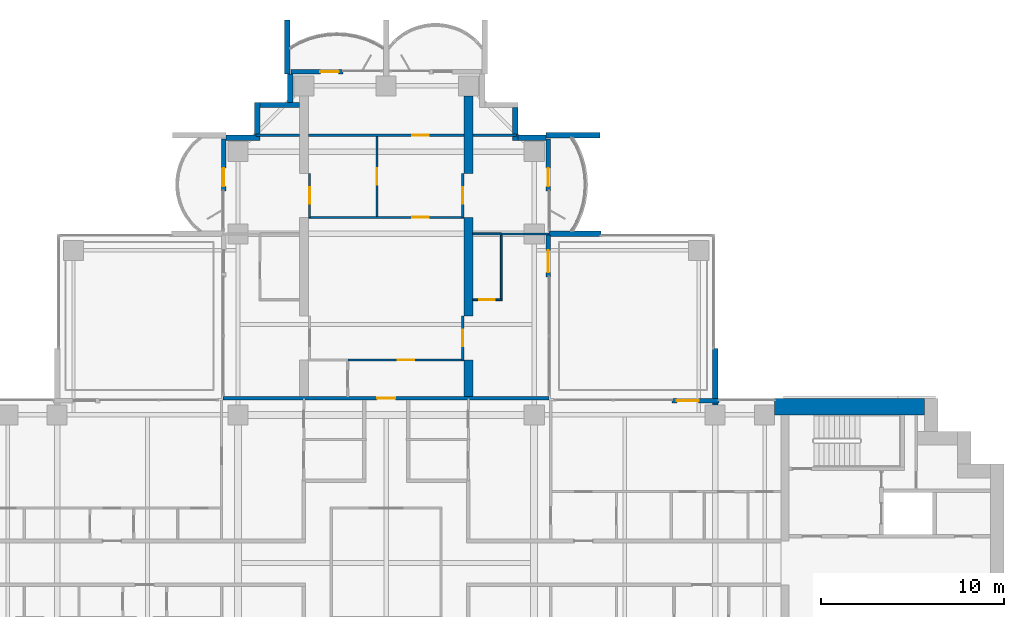
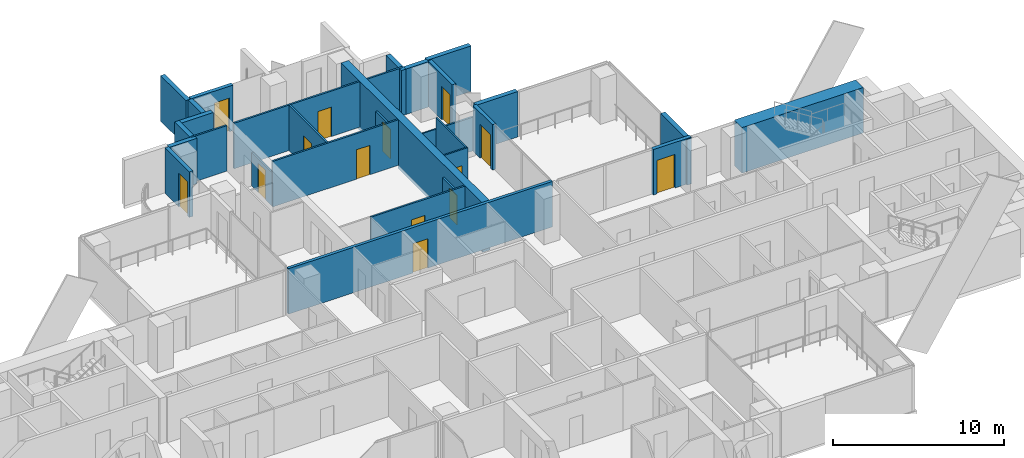
# One storey, part 14 of 19: 31 walls, 14 doors, 14 openings.
"""IFC4 building model written with IfcOpenShell, lengths in metres."""

from ifc_helpers import new_model, si_unit, direction, frame, frame_2d, origin, place, context, subcontext, project, spatial, polyline, rectangle, outline, extrude, material, layer, layer_set, material_profile, profile_set, type_object, element, fill, save


model = new_model("IFC4")

# Units and contexts
model_context = context("Model", 3, precision=1e-05, world=origin(), true_north=direction((0.0, 1.0)))
body_context = subcontext(model_context, "Body", "Model", "MODEL_VIEW")
ifc_project = project(units=[si_unit("LENGTHUNIT", "METRE"), si_unit("AREAUNIT", "SQUARE_METRE"), si_unit("VOLUMEUNIT", "CUBIC_METRE"), si_unit("PLANEANGLEUNIT", "RADIAN"), si_unit("MASSUNIT", "GRAM", prefix="KILO")], contexts=[model_context])

# Site, building, storey
site_placement = place(None, origin())
site = spatial("IfcSite", under=ifc_project, at=site_placement, CompositionType="ELEMENT")
building_placement = place(site_placement, origin())
building = spatial("IfcBuilding", under=site, at=building_placement, Name="Perihelion Cross Residences", CompositionType="ELEMENT")
storey_placement = place(building_placement, frame((0.0, 0.0, 105.89990234375)))
storey = spatial("IfcBuildingStorey", under=building, at=storey_placement, Name="L24", CompositionType="ELEMENT", Elevation=105.89990234375)

# Wall, opening, door
ifc_material_1 = material(Name="Plasterboard partition")
ifc_layer_1 = layer(ifc_material_1, 0.199951171875)
ifc_layer_set_1 = layer_set([ifc_layer_1], Name="Apartment separation wall 200")
wall_type_1 = type_object("IfcWallType", Name="Apartment separation wall 200", PredefinedType="PARTITIONING", material=ifc_layer_set_1)
wall_1_placement = place(storey_placement, frame((-8.919921875, 9.0, 0.0), z_axis=(0.0, 0.0, 1.0), x_axis=(1.0, 0.0, 0.0)))
wall_1 = element("IfcWall", 1, at=wall_1_placement, inside=storey, type_object=wall_type_1, Name="Partition L24 W021", PredefinedType="PARTITIONING", context=body_context, shape_type="SweptSolid", body=[
    extrude(rectangle(XDim=17.83984375, YDim=0.199951171875, at=frame_2d((8.919921875, 0.0))), origin(), (0.0, 0.0, 1.0), 3.25),
])
opening_1_placement = place(wall_1_placement, frame((8.419921875, 0.0, 0.0)))
opening_1 = element("IfcOpeningElement", 2, at=opening_1_placement, cuts=wall_1, Name="Opening L24.A32", PredefinedType="OPENING", context=body_context, shape_type="SweptSolid", body=[
    extrude(rectangle(XDim=1.0, YDim=2.10009765625, at=frame_2d((0.5, 1.050048828125))), frame((0.0, 0.10986328125, 0.0), z_axis=(0.0, -1.0, 0.0), x_axis=(1.0, 0.0, 0.0)), (0.0, 0.0, 1.0), 0.219970703125),
])
ifc_material_2 = material(Name="Timber door leaf", Category="wood")
door_type_1 = type_object("IfcDoorType", Name="Flat entrance door 1000 x 2100", OperationType="SINGLE_SWING_LEFT", PredefinedType="DOOR", material=ifc_material_2)
door_1_placement = place(opening_1_placement, origin())
door_1 = element("IfcDoor", 3, at=door_1_placement, inside=storey, type_object=door_type_1, Name="Door L24.A32", OperationType="SINGLE_SWING_RIGHT", OverallHeight=2.10009765625, OverallWidth=1.0, PredefinedType="DOOR", context=body_context, shape_type="SweptSolid", body=[
    extrude(rectangle(XDim=1.0, YDim=2.10009765625, at=frame_2d((0.5, 1.050048828125))), frame((0.0, 0.02490234375, 0.0), z_axis=(0.0, -1.0, 0.0), x_axis=(1.0, 0.0, 0.0)), (0.0, 0.0, 1.0), 0.050048828125),
])
fill(opening_1, door_1)

ifc_material_3 = material(Name="Concrete C30/37, bronze-clad", Category="concrete")
ifc_layer_2 = layer(ifc_material_3, 0.25)
ifc_layer_set_2 = layer_set([ifc_layer_2], Name="Bronze-clad pier wall 250")
wall_type_2 = type_object("IfcWallType", Name="Bronze-clad pier wall 250", PredefinedType="SOLIDWALL", material=ifc_layer_set_2)
wall_2_placement = place(storey_placement, frame((18.199951171875, 8.875, 0.0), z_axis=(0.0, 0.0, 1.0), x_axis=(-1.0, 0.0, 0.0)))
wall_2 = element("IfcWall", 4, at=wall_2_placement, inside=storey, type_object=wall_type_2, Name="Wall FW1 L24 east side north bay 2 pier", PredefinedType="SOLIDWALL", context=body_context, shape_type="SweptSolid", body=[
    extrude(rectangle(XDim=2.550048828125, YDim=0.25, at=frame_2d((1.27490234375, 0.0))), origin(), (0.0, 0.0, 1.0), 3.25),
])
opening_2_placement = place(wall_2_placement, frame((1.10009765625, 0.0, 0.0)))
opening_2 = element("IfcOpeningElement", 5, at=opening_2_placement, cuts=wall_2, Name="Opening L24.E01", PredefinedType="OPENING", context=body_context, shape_type="SweptSolid", body=[
    extrude(rectangle(XDim=1.199951171875, YDim=2.39990234375, at=frame_2d((0.60009765625, 1.199951171875))), frame((0.0, 0.135009765625, 0.0), z_axis=(0.0, -1.0, 0.0), x_axis=(1.0, 0.0, 0.0)), (0.0, 0.0, 1.0), 0.27001953125),
])
ifc_material_4 = material(Name="Bronze anodised aluminium, glazed", Category="aluminium")
door_type_2 = type_object("IfcDoorType", Name="Balcony door 1200 x 2400", OperationType="NOTDEFINED", PredefinedType="DOOR", material=ifc_material_4)
door_2_placement = place(opening_2_placement, origin())
door_2 = element("IfcDoor", 6, at=door_2_placement, inside=storey, type_object=door_type_2, Name="Door L24.E01 east side north bay 2", OperationType="SINGLE_SWING_RIGHT", OverallHeight=2.39990234375, OverallWidth=1.199951171875, PredefinedType="DOOR", context=body_context, shape_type="SweptSolid", body=[
    extrude(rectangle(XDim=1.199951171875, YDim=2.39990234375, at=frame_2d((0.60009765625, 1.199951171875))), frame((0.0, 0.02490234375, 0.0), z_axis=(0.0, -1.0, 0.0), x_axis=(1.0, 0.0, 0.0)), (0.0, 0.0, 1.0), 0.050048828125),
])
fill(opening_2, door_2)

wall_3_placement = place(storey_placement, frame((8.875, 15.64990234375, 0.0), z_axis=(0.0, 0.0, 1.0), x_axis=(0.0, 1.0, 0.0)))
wall_3 = element("IfcWall", 7, at=wall_3_placement, inside=storey, type_object=wall_type_2, Name="Wall FW1 L24 north side east bay 1 pier", PredefinedType="SOLIDWALL", context=body_context, shape_type="SweptSolid", body=[
    extrude(rectangle(XDim=2.2900390625, YDim=0.25, at=frame_2d((1.14501953125, 0.0))), origin(), (0.0, 0.0, 1.0), 3.25),
])
opening_3_placement = place(wall_3_placement, frame((0.25, 0.0, 0.0)))
opening_3 = element("IfcOpeningElement", 8, at=opening_3_placement, cuts=wall_3, Name="Opening L24.E02", PredefinedType="OPENING", context=body_context, shape_type="SweptSolid", body=[
    extrude(rectangle(XDim=1.199951171875, YDim=2.39990234375, at=frame_2d((0.60009765625, 1.199951171875))), frame((0.0, 0.135009765625, 0.0), z_axis=(0.0, -1.0, 0.0), x_axis=(1.0, 0.0, 0.0)), (0.0, 0.0, 1.0), 0.27001953125),
])
door_3_placement = place(opening_3_placement, origin())
door_3 = element("IfcDoor", 9, at=door_3_placement, inside=storey, type_object=door_type_2, Name="Door L24.E02 north side east bay 1", OperationType="SINGLE_SWING_LEFT", OverallHeight=2.39990234375, OverallWidth=1.199951171875, PredefinedType="DOOR", context=body_context, shape_type="SweptSolid", body=[
    extrude(rectangle(XDim=1.199951171875, YDim=2.39990234375, at=frame_2d((0.60009765625, 1.199951171875))), frame((0.0, 0.02490234375, 0.0), z_axis=(0.0, -1.0, 0.0), x_axis=(1.0, 0.0, 0.0)), (0.0, 0.0, 1.0), 0.050048828125),
])
fill(opening_3, door_3)

wall_4_placement = place(storey_placement, frame((8.875, 20.35009765625, 0.0), z_axis=(0.0, 0.0, 1.0), x_axis=(0.0, 1.0, 0.0)))
wall_4 = element("IfcWall", 10, at=wall_4_placement, inside=storey, type_object=wall_type_2, Name="Wall FW1 L24 north side east bay 2 pier", PredefinedType="SOLIDWALL", context=body_context, shape_type="SweptSolid", body=[
    extrude(rectangle(XDim=2.849853515625, YDim=0.25, at=frame_2d((1.4248046875, 0.0))), origin(), (0.0, 0.0, 1.0), 3.25),
])
opening_4_placement = place(wall_4_placement, frame((0.25, 0.0, 0.0)))
opening_4 = element("IfcOpeningElement", 11, at=opening_4_placement, cuts=wall_4, Name="Opening L24.E03", PredefinedType="OPENING", context=body_context, shape_type="SweptSolid", body=[
    extrude(rectangle(XDim=1.0, YDim=2.39990234375, at=frame_2d((0.5, 1.199951171875))), frame((0.0, 0.135009765625, 0.0), z_axis=(0.0, -1.0, 0.0), x_axis=(1.0, 0.0, 0.0)), (0.0, 0.0, 1.0), 0.27001953125),
])
ifc_material_5 = material(Name="Bronze anodised aluminium, glazed", Category="aluminium")
door_type_3 = type_object("IfcDoorType", Name="Balcony door 1000 x 2400", OperationType="NOTDEFINED", PredefinedType="DOOR", material=ifc_material_5)
door_4_placement = place(opening_4_placement, origin())
door_4 = element("IfcDoor", 12, at=door_4_placement, inside=storey, type_object=door_type_3, Name="Door L24.E03 north side east bay 2", OperationType="SINGLE_SWING_RIGHT", OverallHeight=2.39990234375, OverallWidth=1.0, PredefinedType="DOOR", context=body_context, shape_type="SweptSolid", body=[
    extrude(rectangle(XDim=1.0, YDim=2.39990234375, at=frame_2d((0.5, 1.199951171875))), frame((0.0, 0.02490234375, 0.0), z_axis=(0.0, -1.0, 0.0), x_axis=(1.0, 0.0, 0.0)), (0.0, 0.0, 1.0), 0.050048828125),
])
fill(opening_4, door_4)

wall_5_placement = place(storey_placement, frame((-2.35009765625, 26.875, 0.0), z_axis=(0.0, 0.0, 1.0), x_axis=(-1.0, 0.0, 0.0)))
wall_5 = element("IfcWall", 13, at=wall_5_placement, inside=storey, type_object=wall_type_2, Name="Wall FW1 L24 north tip north bay 2 pier", PredefinedType="SOLIDWALL", context=body_context, shape_type="SweptSolid", body=[
    extrude(rectangle(XDim=2.849853515625, YDim=0.25, at=frame_2d((1.4248046875, 0.0))), origin(), (0.0, 0.0, 1.0), 3.25),
])
opening_5_placement = place(wall_5_placement, frame((0.25, 0.0, 0.0)))
opening_5 = element("IfcOpeningElement", 14, at=opening_5_placement, cuts=wall_5, Name="Opening L24.E05", PredefinedType="OPENING", context=body_context, shape_type="SweptSolid", body=[
    extrude(rectangle(XDim=1.0, YDim=2.39990234375, at=frame_2d((0.5, 1.199951171875))), frame((0.0, 0.135009765625, 0.0), z_axis=(0.0, -1.0, 0.0), x_axis=(1.0, 0.0, 0.0)), (0.0, 0.0, 1.0), 0.27001953125),
])
door_5_placement = place(opening_5_placement, origin())
door_5 = element("IfcDoor", 15, at=door_5_placement, inside=storey, type_object=door_type_3, Name="Door L24.E05 north tip north bay 2", OperationType="SINGLE_SWING_RIGHT", OverallHeight=2.39990234375, OverallWidth=1.0, PredefinedType="DOOR", context=body_context, shape_type="SweptSolid", body=[
    extrude(rectangle(XDim=1.0, YDim=2.39990234375, at=frame_2d((0.5, 1.199951171875))), frame((0.0, 0.02490234375, 0.0), z_axis=(0.0, -1.0, 0.0), x_axis=(1.0, 0.0, 0.0)), (0.0, 0.0, 1.0), 0.050048828125),
])
fill(opening_5, door_5)

wall_6_placement = place(storey_placement, frame((-8.875, 23.199951171875, 0.0), z_axis=(0.0, 0.0, 1.0), x_axis=(0.0, -1.0, 0.0)))
wall_6 = element("IfcWall", 16, at=wall_6_placement, inside=storey, type_object=wall_type_2, Name="Wall FW1 L24 north side west bay 1 pier", PredefinedType="SOLIDWALL", context=body_context, shape_type="SweptSolid", body=[
    extrude(rectangle(XDim=2.849853515625, YDim=0.25, at=frame_2d((1.4248046875, 0.0))), origin(), (0.0, 0.0, 1.0), 3.25),
])
opening_6_placement = place(wall_6_placement, frame((1.60009765625, 0.0, 0.0)))
opening_6 = element("IfcOpeningElement", 17, at=opening_6_placement, cuts=wall_6, Name="Opening L24.E06", PredefinedType="OPENING", context=body_context, shape_type="SweptSolid", body=[
    extrude(rectangle(XDim=1.0, YDim=2.39990234375, at=frame_2d((0.5, 1.199951171875))), frame((0.0, 0.135009765625, 0.0), z_axis=(0.0, -1.0, 0.0), x_axis=(1.0, 0.0, 0.0)), (0.0, 0.0, 1.0), 0.27001953125),
])
door_6_placement = place(opening_6_placement, origin())
door_6 = element("IfcDoor", 18, at=door_6_placement, inside=storey, type_object=door_type_3, Name="Door L24.E06 north side west bay 1", OperationType="SINGLE_SWING_LEFT", OverallHeight=2.39990234375, OverallWidth=1.0, PredefinedType="DOOR", context=body_context, shape_type="SweptSolid", body=[
    extrude(rectangle(XDim=1.0, YDim=2.39990234375, at=frame_2d((0.5, 1.199951171875))), frame((0.0, 0.02490234375, 0.0), z_axis=(0.0, -1.0, 0.0), x_axis=(1.0, 0.0, 0.0)), (0.0, 0.0, 1.0), 0.050048828125),
])
fill(opening_6, door_6)

# Walls
ifc_material_6 = material(Name="Concrete C30/37, bronze-clad", Category="concrete")
ifc_layer_3 = layer(ifc_material_6, 0.300048828125)
ifc_layer_set_3 = layer_set([ifc_layer_3], Name="Bronze-clad serration wall 300")
wall_type_3 = type_object("IfcWallType", Name="Bronze-clad serration wall 300", PredefinedType="SOLIDWALL", material=ifc_layer_set_3)
wall_7_placement = place(storey_placement, frame((8.75, 23.25, 0.0), z_axis=(0.0, 0.0, 1.0), x_axis=(-1.0, 0.0, 0.0)))
element("IfcWall", 19, at=wall_7_placement, inside=storey, type_object=wall_type_3, Name="Wall SR1 L24 north corner north-east 1", PredefinedType="SOLIDWALL", context=body_context, shape_type="SweptSolid", body=[
    extrude(rectangle(XDim=1.550048828125, YDim=0.300048828125, at=frame_2d((0.77490234375, 0.0))), origin(), (0.0, 0.0, 1.0), 3.25),
])
wall_8_placement = place(storey_placement, frame((7.050048828125, 23.10009765625, 0.0), z_axis=(0.0, 0.0, 1.0), x_axis=(0.0, 1.0, 0.0)))
element("IfcWall", 20, at=wall_8_placement, inside=storey, type_object=wall_type_3, Name="Wall SR1 L24 north corner north-east 2", PredefinedType="SOLIDWALL", context=body_context, shape_type="SweptSolid", body=[
    extrude(rectangle(XDim=1.7998046875, YDim=0.300048828125, at=frame_2d((0.89990234375, 0.0))), origin(), (0.0, 0.0, 1.0), 3.25),
])
wall_9_placement = place(storey_placement, frame((-5.25, 26.75, 0.0), z_axis=(0.0, 0.0, 1.0), x_axis=(0.0, -1.0, 0.0)))
element("IfcWall", 21, at=wall_9_placement, inside=storey, type_object=wall_type_3, Name="Wall SR1 L24 north corner north-west 1", PredefinedType="SOLIDWALL", context=body_context, shape_type="SweptSolid", body=[
    extrude(rectangle(XDim=1.550048828125, YDim=0.300048828125, at=frame_2d((0.77490234375, 0.0))), origin(), (0.0, 0.0, 1.0), 3.25),
])
wall_10_placement = place(storey_placement, frame((-4.75, 25.050048828125, 0.0), z_axis=(0.0, 0.0, 1.0), x_axis=(-1.0, 0.0, 0.0)))
element("IfcWall", 22, at=wall_10_placement, inside=storey, type_object=wall_type_3, Name="Wall SR1 L24 north corner north-west 2", PredefinedType="SOLIDWALL", context=body_context, shape_type="SweptSolid", body=[
    extrude(rectangle(XDim=2.14990234375, YDim=0.300048828125, at=frame_2d((1.074951171875, 0.0))), origin(), (0.0, 0.0, 1.0), 3.25),
])
wall_11_placement = place(storey_placement, frame((-7.050048828125, 25.199951171875, 0.0), z_axis=(0.0, 0.0, 1.0), x_axis=(0.0, -1.0, 0.0)))
element("IfcWall", 23, at=wall_11_placement, inside=storey, type_object=wall_type_3, Name="Wall SR1 L24 north corner north-west 3", PredefinedType="SOLIDWALL", context=body_context, shape_type="SweptSolid", body=[
    extrude(rectangle(XDim=1.800048828125, YDim=0.300048828125, at=frame_2d((0.89990234375, 0.0))), origin(), (0.0, 0.0, 1.0), 3.25),
])
wall_12_placement = place(storey_placement, frame((-6.89990234375, 23.25, 0.0), z_axis=(0.0, 0.0, 1.0), x_axis=(-1.0, 0.0, 0.0)))
element("IfcWall", 24, at=wall_12_placement, inside=storey, type_object=wall_type_3, Name="Wall SR1 L24 north corner north-west 4", PredefinedType="SOLIDWALL", context=body_context, shape_type="SweptSolid", body=[
    extrude(rectangle(XDim=1.85009765625, YDim=0.300048828125, at=frame_2d((0.925048828125, 0.0))), origin(), (0.0, 0.0, 1.0), 3.25),
])
ifc_material_7 = material(Name="Concrete C60/75", Category="concrete")
ifc_layer_4 = layer(ifc_material_7, 0.89990234375)
ifc_layer_set_4 = layer_set([ifc_layer_4], Name="Core wall, outer 900")
wall_type_4 = type_object("IfcWallType", Name="Core wall, outer 900", PredefinedType="SHEAR", material=ifc_layer_set_4)
wall_13_placement = place(storey_placement, frame((21.25, 8.550048828125, 0.0), z_axis=(0.0, 0.0, 1.0), x_axis=(1.0, 0.0, 0.0)))
element("IfcWall", 25, at=wall_13_placement, inside=storey, type_object=wall_type_4, Name="East core core wall, outer", PredefinedType="SHEAR", context=body_context, shape_type="SweptSolid", body=[
    extrude(rectangle(XDim=8.199951171875, YDim=0.89990234375, at=frame_2d((4.10009765625, 0.0))), origin(), (0.0, 0.0, 1.0), 3.25),
])

# Wall, opening, door
ifc_material_8 = material(Name="Plasterboard partition")
ifc_layer_5 = layer(ifc_material_8, 0.1201171875)
ifc_layer_set_5 = layer_set([ifc_layer_5], Name="Infill panel 120")
wall_type_5 = type_object("IfcWallType", Name="Infill panel 120", PredefinedType="PARTITIONING", material=ifc_layer_set_5)
wall_14_placement = place(storey_placement, frame((4.18994140625, 11.10009765625, 0.0), z_axis=(0.0, 0.0, 1.0), x_axis=(0.0, 1.0, 0.0)))
wall_14 = element("IfcWall", 26, at=wall_14_placement, inside=storey, type_object=wall_type_5, Name="Partition L24 WI01", PredefinedType="PARTITIONING", context=body_context, shape_type="SweptSolid", body=[
    extrude(rectangle(XDim=2.39990234375, YDim=0.1201171875, at=frame_2d((1.199951171875, 0.0))), origin(), (0.0, 0.0, 1.0), 2.400146484375),
])
opening_7_placement = place(wall_14_placement, frame((0.75, 0.0, 0.0)))
opening_7 = element("IfcOpeningElement", 27, at=opening_7_placement, cuts=wall_14, Name="Opening L24.A50", PredefinedType="OPENING", context=body_context, shape_type="SweptSolid", body=[
    extrude(rectangle(XDim=0.89990234375, YDim=2.10009765625, at=frame_2d((0.449951171875, 1.050048828125))), frame((0.0, 0.070068359375, 0.0), z_axis=(0.0, -1.0, 0.0), x_axis=(1.0, 0.0, 0.0)), (0.0, 0.0, 1.0), 0.14013671875),
])
ifc_material_9 = material(Name="Timber door leaf", Category="wood")
door_type_4 = type_object("IfcDoorType", Name="Interior room door 900 x 2100", OperationType="SINGLE_SWING_LEFT", PredefinedType="DOOR", material=ifc_material_9)
door_7_placement = place(opening_7_placement, origin())
door_7 = element("IfcDoor", 28, at=door_7_placement, inside=storey, type_object=door_type_4, Name="Door L24.A50", OperationType="SINGLE_SWING_RIGHT", OverallHeight=2.10009765625, OverallWidth=0.89990234375, PredefinedType="DOOR", context=body_context, shape_type="SweptSolid", body=[
    extrude(rectangle(XDim=0.89990234375, YDim=2.10009765625, at=frame_2d((0.449951171875, 1.050048828125))), frame((0.0, 0.02490234375, 0.0), z_axis=(0.0, -1.0, 0.0), x_axis=(1.0, 0.0, 0.0)), (0.0, 0.0, 1.0), 0.050048828125),
])
fill(opening_7, door_7)

wall_15_placement = place(storey_placement, frame((4.18994140625, 18.89990234375, 0.0), z_axis=(0.0, 0.0, 1.0), x_axis=(0.0, 1.0, 0.0)))
wall_15 = element("IfcWall", 29, at=wall_15_placement, inside=storey, type_object=wall_type_5, Name="Partition L24 WI02", PredefinedType="PARTITIONING", context=body_context, shape_type="SweptSolid", body=[
    extrude(rectangle(XDim=2.400146484375, YDim=0.1201171875, at=frame_2d((1.2001953125, 0.0))), origin(), (0.0, 0.0, 1.0), 2.400146484375),
])
opening_8_placement = place(wall_15_placement, frame((0.75, 0.0, 0.0)))
opening_8 = element("IfcOpeningElement", 30, at=opening_8_placement, cuts=wall_15, Name="Opening L24.A51", PredefinedType="OPENING", context=body_context, shape_type="SweptSolid", body=[
    extrude(rectangle(XDim=0.89990234375, YDim=2.10009765625, at=frame_2d((0.449951171875, 1.050048828125))), frame((0.0, 0.070068359375, 0.0), z_axis=(0.0, -1.0, 0.0), x_axis=(1.0, 0.0, 0.0)), (0.0, 0.0, 1.0), 0.14013671875),
])
door_8_placement = place(opening_8_placement, origin())
door_8 = element("IfcDoor", 31, at=door_8_placement, inside=storey, type_object=door_type_4, Name="Door L24.A51", OperationType="SINGLE_SWING_LEFT", OverallHeight=2.10009765625, OverallWidth=0.89990234375, PredefinedType="DOOR", context=body_context, shape_type="SweptSolid", body=[
    extrude(rectangle(XDim=0.89990234375, YDim=2.10009765625, at=frame_2d((0.449951171875, 1.050048828125))), frame((0.0, 0.02490234375, 0.0), z_axis=(0.0, -1.0, 0.0), x_axis=(1.0, 0.0, 0.0)), (0.0, 0.0, 1.0), 0.050048828125),
])
fill(opening_8, door_8)

wall_16_placement = place(storey_placement, frame((-4.18994140625, 18.89990234375, 0.0), z_axis=(0.0, 0.0, 1.0), x_axis=(0.0, 1.0, 0.0)))
wall_16 = element("IfcWall", 32, at=wall_16_placement, inside=storey, type_object=wall_type_5, Name="Partition L24 WI04", PredefinedType="PARTITIONING", context=body_context, shape_type="SweptSolid", body=[
    extrude(rectangle(XDim=2.400146484375, YDim=0.1201171875, at=frame_2d((1.2001953125, 0.0))), origin(), (0.0, 0.0, 1.0), 2.400146484375),
])
opening_9_placement = place(wall_16_placement, frame((0.75, 0.0, 0.0)))
opening_9 = element("IfcOpeningElement", 33, at=opening_9_placement, cuts=wall_16, Name="Opening L24.A53", PredefinedType="OPENING", context=body_context, shape_type="SweptSolid", body=[
    extrude(rectangle(XDim=0.89990234375, YDim=2.10009765625, at=frame_2d((0.449951171875, 1.050048828125))), frame((0.0, 0.070068359375, 0.0), z_axis=(0.0, -1.0, 0.0), x_axis=(1.0, 0.0, 0.0)), (0.0, 0.0, 1.0), 0.14013671875),
])
door_9_placement = place(opening_9_placement, origin())
door_9 = element("IfcDoor", 34, at=door_9_placement, inside=storey, type_object=door_type_4, Name="Door L24.A53", OperationType="SINGLE_SWING_RIGHT", OverallHeight=2.10009765625, OverallWidth=0.89990234375, PredefinedType="DOOR", context=body_context, shape_type="SweptSolid", body=[
    extrude(rectangle(XDim=0.89990234375, YDim=2.10009765625, at=frame_2d((0.449951171875, 1.050048828125))), frame((0.0, 0.02490234375, 0.0), z_axis=(0.0, -1.0, 0.0), x_axis=(1.0, 0.0, 0.0)), (0.0, 0.0, 1.0), 0.050048828125),
])
fill(opening_9, door_9)

ifc_material_10 = material(Name="Plasterboard partition")
ifc_layer_6 = layer(ifc_material_10, 0.1201171875)
ifc_layer_set_6 = layer_set([ifc_layer_6], Name="Partition wall 120")
wall_type_6 = type_object("IfcWallType", Name="Partition wall 120", PredefinedType="PARTITIONING", material=ifc_layer_set_6)
wall_17_placement = place(storey_placement, frame((-2.10009765625, 11.10009765625, 0.0), z_axis=(0.0, 0.0, 1.0), x_axis=(1.0, 0.0, 0.0)))
wall_17 = element("IfcWall", 35, at=wall_17_placement, inside=storey, type_object=wall_type_6, Name="Partition L24 W063", PredefinedType="PARTITIONING", context=body_context, shape_type="SweptSolid", body=[
    extrude(rectangle(XDim=6.35009765625, YDim=0.1201171875, at=frame_2d((3.175048828125, 0.0))), origin(), (0.0, 0.0, 1.0), 3.25),
])
opening_10_placement = place(wall_17_placement, frame((2.72509765625, 0.0, 0.0)))
opening_10 = element("IfcOpeningElement", 36, at=opening_10_placement, cuts=wall_17, Name="Opening L24.A34", PredefinedType="OPENING", context=body_context, shape_type="SweptSolid", body=[
    extrude(rectangle(XDim=0.89990234375, YDim=2.10009765625, at=frame_2d((0.449951171875, 1.050048828125))), frame((0.0, 0.070068359375, 0.0), z_axis=(0.0, -1.0, 0.0), x_axis=(1.0, 0.0, 0.0)), (0.0, 0.0, 1.0), 0.14013671875),
])
door_10_placement = place(opening_10_placement, origin())
door_10 = element("IfcDoor", 37, at=door_10_placement, inside=storey, type_object=door_type_4, Name="Door L24.A34", OperationType="SINGLE_SWING_RIGHT", OverallHeight=2.10009765625, OverallWidth=0.89990234375, PredefinedType="DOOR", context=body_context, shape_type="SweptSolid", body=[
    extrude(rectangle(XDim=0.89990234375, YDim=2.10009765625, at=frame_2d((0.449951171875, 1.050048828125))), frame((0.0, 0.02490234375, 0.0), z_axis=(0.0, -1.0, 0.0), x_axis=(1.0, 0.0, 0.0)), (0.0, 0.0, 1.0), 0.050048828125),
])
fill(opening_10, door_10)

wall_18_placement = place(storey_placement, frame((-4.25, 18.89990234375, 0.0), z_axis=(0.0, 0.0, 1.0), x_axis=(1.0, 0.0, 0.0)))
wall_18 = element("IfcWall", 38, at=wall_18_placement, inside=storey, type_object=wall_type_6, Name="Partition L24 W065", PredefinedType="PARTITIONING", context=body_context, shape_type="SweptSolid", body=[
    extrude(rectangle(XDim=8.5, YDim=0.1201171875, at=frame_2d((4.25, 0.0))), origin(), (0.0, 0.0, 1.0), 3.25),
])
opening_11_placement = place(wall_18_placement, frame((5.675048828125, 0.0, 0.0)))
opening_11 = element("IfcOpeningElement", 39, at=opening_11_placement, cuts=wall_18, Name="Opening L24.A35", PredefinedType="OPENING", context=body_context, shape_type="SweptSolid", body=[
    extrude(rectangle(XDim=0.89990234375, YDim=2.10009765625, at=frame_2d((0.449951171875, 1.050048828125))), frame((0.0, 0.070068359375, 0.0), z_axis=(0.0, -1.0, 0.0), x_axis=(1.0, 0.0, 0.0)), (0.0, 0.0, 1.0), 0.14013671875),
])
door_11_placement = place(opening_11_placement, origin())
door_11 = element("IfcDoor", 40, at=door_11_placement, inside=storey, type_object=door_type_4, Name="Door L24.A35", OperationType="SINGLE_SWING_RIGHT", OverallHeight=2.10009765625, OverallWidth=0.89990234375, PredefinedType="DOOR", context=body_context, shape_type="SweptSolid", body=[
    extrude(rectangle(XDim=0.89990234375, YDim=2.10009765625, at=frame_2d((0.449951171875, 1.050048828125))), frame((0.0, 0.02490234375, 0.0), z_axis=(0.0, -1.0, 0.0), x_axis=(1.0, 0.0, 0.0)), (0.0, 0.0, 1.0), 0.050048828125),
])
fill(opening_11, door_11)

wall_19_placement = place(storey_placement, frame((-0.5, 18.9599609375, 0.0), z_axis=(0.0, 0.0, 1.0), x_axis=(0.0, 1.0, 0.0)))
wall_19 = element("IfcWall", 41, at=wall_19_placement, inside=storey, type_object=wall_type_6, Name="Partition L24 W066", PredefinedType="PARTITIONING", context=body_context, shape_type="SweptSolid", body=[
    extrude(rectangle(XDim=4.380126953125, YDim=0.1201171875, at=frame_2d((2.18994140625, 0.0))), origin(), (0.0, 0.0, 1.0), 3.25),
])
opening_12_placement = place(wall_19_placement, frame((1.739990234375, 0.0, 0.0)))
opening_12 = element("IfcOpeningElement", 42, at=opening_12_placement, cuts=wall_19, Name="Opening L24.A36", PredefinedType="OPENING", context=body_context, shape_type="SweptSolid", body=[
    extrude(rectangle(XDim=0.89990234375, YDim=2.10009765625, at=frame_2d((0.449951171875, 1.050048828125))), frame((0.0, 0.070068359375, 0.0), z_axis=(0.0, -1.0, 0.0), x_axis=(1.0, 0.0, 0.0)), (0.0, 0.0, 1.0), 0.14013671875),
])
door_12_placement = place(opening_12_placement, origin())
door_12 = element("IfcDoor", 43, at=door_12_placement, inside=storey, type_object=door_type_4, Name="Door L24.A36", OperationType="SINGLE_SWING_RIGHT", OverallHeight=2.10009765625, OverallWidth=0.89990234375, PredefinedType="DOOR", context=body_context, shape_type="SweptSolid", body=[
    extrude(rectangle(XDim=0.89990234375, YDim=2.10009765625, at=frame_2d((0.449951171875, 1.050048828125))), frame((0.0, 0.02490234375, 0.0), z_axis=(0.0, -1.0, 0.0), x_axis=(1.0, 0.0, 0.0)), (0.0, 0.0, 1.0), 0.050048828125),
])
fill(opening_12, door_12)

wall_20_placement = place(storey_placement, frame((-4.25, 23.39990234375, 0.0), z_axis=(0.0, 0.0, 1.0), x_axis=(1.0, 0.0, 0.0)))
wall_20 = element("IfcWall", 44, at=wall_20_placement, inside=storey, type_object=wall_type_6, Name="Partition L24 W067", PredefinedType="PARTITIONING", context=body_context, shape_type="SweptSolid", body=[
    extrude(rectangle(XDim=8.5, YDim=0.1201171875, at=frame_2d((4.25, 0.0))), origin(), (0.0, 0.0, 1.0), 3.25),
])
opening_13_placement = place(wall_20_placement, frame((5.675048828125, 0.0, 0.0)))
opening_13 = element("IfcOpeningElement", 45, at=opening_13_placement, cuts=wall_20, Name="Opening L24.A37", PredefinedType="OPENING", context=body_context, shape_type="SweptSolid", body=[
    extrude(rectangle(XDim=0.89990234375, YDim=2.10009765625, at=frame_2d((0.449951171875, 1.050048828125))), frame((0.0, 0.070068359375, 0.0), z_axis=(0.0, -1.0, 0.0), x_axis=(1.0, 0.0, 0.0)), (0.0, 0.0, 1.0), 0.14013671875),
])
door_13_placement = place(opening_13_placement, origin())
door_13 = element("IfcDoor", 46, at=door_13_placement, inside=storey, type_object=door_type_4, Name="Door L24.A37", OperationType="SINGLE_SWING_LEFT", OverallHeight=2.10009765625, OverallWidth=0.89990234375, PredefinedType="DOOR", context=body_context, shape_type="SweptSolid", body=[
    extrude(rectangle(XDim=0.89990234375, YDim=2.10009765625, at=frame_2d((0.449951171875, 1.050048828125))), frame((0.0, 0.02490234375, 0.0), z_axis=(0.0, -1.0, 0.0), x_axis=(1.0, 0.0, 0.0)), (0.0, 0.0, 1.0), 0.050048828125),
])
fill(opening_13, door_13)

# Walls
wall_21_placement = place(storey_placement, frame((6.300048828125, 18.0, 0.0), z_axis=(0.0, 0.0, 1.0), x_axis=(1.0, 0.0, 0.0)))
element("IfcWall", 47, at=wall_21_placement, inside=storey, type_object=wall_type_6, Name="Partition L24 W070", PredefinedType="PARTITIONING", context=body_context, shape_type="SweptSolid", body=[
    extrude(rectangle(XDim=2.619873046875, YDim=0.1201171875, at=frame_2d((1.31005859375, 0.0))), origin(), (0.0, 0.0, 1.0), 2.4140625),
])
for number, where, z_axis, x_axis, name in (
    (48, (4.75, 23.39990234375, 0.0), (0.0, 0.0, 1.0), (1.0, 0.0, 0.0), "Partition L24 W072"),
    (49, (-7.1201171875, 23.39990234375, 0.0), (0.0, 0.0, 1.0), (1.0, 0.0, 0.0), "Partition L24 W077"),
):
    element("IfcWall", number, at=place(storey_placement, frame(where, z_axis=z_axis, x_axis=x_axis)), inside=storey, type_object=wall_type_6, Name=name, PredefinedType="PARTITIONING", context=body_context, shape_type="SweptSolid", body=[
        extrude(rectangle(XDim=2.3701171875, YDim=0.1201171875, at=frame_2d((1.18505859375, 0.0))), origin(), (0.0, 0.0, 1.0), 3.25),
    ])
ifc_material_11 = material(Name="Precast concrete C50/60", Category="concrete")
ifc_layer_7 = layer(ifc_material_11, 0.300048828125)
ifc_layer_set_7 = layer_set([ifc_layer_7], Name="Precast concrete C50/60 blade wall 300")
wall_type_7 = type_object("IfcWallType", Name="Precast concrete C50/60 blade wall 300", PredefinedType="SOLIDWALL", material=ifc_layer_set_7)
wall_22_placement = place(storey_placement, frame((-5.39990234375, 26.75, 0.0), z_axis=(0.0, 0.0, 1.0), x_axis=(0.0, 1.0, 0.0)))
element("IfcWall", 50, at=wall_22_placement, inside=storey, type_object=wall_type_7, Name="Wall BL1 L24 no. 4", PredefinedType="SOLIDWALL", context=body_context, shape_type="SweptSolid", body=[
    extrude(rectangle(XDim=2.949951171875, YDim=0.300048828125, at=frame_2d((1.47509765625, 0.0))), origin(), (0.0, 0.0, 1.0), 3.25),
])
wall_23_placement = place(storey_placement, frame((8.919921875, 18.0, 0.0), z_axis=(0.0, 0.0, 1.0), x_axis=(1.0, 0.0, 0.0)))
element("IfcWall", 51, at=wall_23_placement, inside=storey, type_object=wall_type_7, Name="Wall BL1 L24 no. 15", PredefinedType="SOLIDWALL", context=body_context, shape_type="SweptSolid", body=[
    extrude(rectangle(XDim=2.820068359375, YDim=0.300048828125, at=frame_2d((1.41015625, 0.0))), origin(), (0.0, 0.0, 1.0), 3.25),
])
wall_24_placement = place(storey_placement, frame((8.75, 23.39990234375, 0.0), z_axis=(0.0, 0.0, 1.0), x_axis=(1.0, 0.0, 0.0)))
element("IfcWall", 52, at=wall_24_placement, inside=storey, type_object=wall_type_7, Name="Wall BL1 L24 no. 16", PredefinedType="SOLIDWALL", context=body_context, shape_type="SweptSolid", body=[
    extrude(rectangle(XDim=2.949951171875, YDim=0.300048828125, at=frame_2d((1.47509765625, 0.0))), origin(), (0.0, 0.0, 1.0), 3.25),
])
wall_25_placement = place(storey_placement, frame((18.0, 8.64990234375, 0.0), z_axis=(0.0, 0.0, 1.0), x_axis=(0.0, 1.0, 0.0)))
element("IfcWall", 53, at=wall_25_placement, inside=storey, type_object=wall_type_7, Name="Wall BL1 L24 no. 11", PredefinedType="SOLIDWALL", context=body_context, shape_type="SweptSolid", body=[
    extrude(rectangle(XDim=3.090087890625, YDim=0.300048828125, at=frame_2d((1.544921875, 0.0))), origin(), (0.0, 0.0, 1.0), 3.25),
])
ifc_material_12 = material(Name="Concrete C60/75", Category="concrete")
ifc_material_profile = material_profile(ifc_material_12, outline(polyline([(0.0, 0.0), (2.10009765625, 0.0), (2.10009765625, 2.64990234375), (4.5, 2.64990234375), (4.5, 0.0), (9.89990234375, 0.0), (9.89990234375, 2.64990234375), (12.300048828125, 2.64990234375), (12.300048828125, 0.0), (16.550048828125, 0.0), (16.550048828125, 3.5), (0.0, 3.5), (0.0, 0.0)])), Name="Tip spine wall")
ifc_profile_set = profile_set([ifc_material_profile], Name="Concrete C60/75")
wall_type_8 = type_object("IfcWallType", Name="Tip spine wall 500 with 2 door openings 16550 long 3500 high concrete C60/75", PredefinedType="SHEAR", material=ifc_profile_set)
wall_26_placement = place(storey_placement, frame((4.25, 9.0, -0.25), z_axis=(1.0, 0.0, 0.0), x_axis=(0.0, 1.0, 0.0)))
element("IfcWall", 54, at=wall_26_placement, inside=storey, type_object=wall_type_8, Name="Shear wall SW34 L24 north east", PredefinedType="SHEAR", context=body_context, shape_type="SweptSolid", body=[
    extrude(outline(polyline([(0.0, 0.0), (2.10009765625, 0.0), (2.10009765625, 2.64990234375), (4.5, 2.64990234375), (4.5, 0.0), (9.89990234375, 0.0), (9.89990234375, 2.64990234375), (12.300048828125, 2.64990234375), (12.300048828125, 0.0), (16.550048828125, 0.0), (16.550048828125, 3.5), (0.0, 3.5), (0.0, 0.0)])), origin(), (0.0, 0.0, 1.0), 0.5),
])

# Wall, opening, door
ifc_material_13 = material(Name="Plasterboard partition")
ifc_layer_8 = layer(ifc_material_13, 0.10009765625)
ifc_layer_set_8 = layer_set([ifc_layer_8], Name="Wet room wall 100")
wall_type_9 = type_object("IfcWallType", Name="Wet room wall 100", PredefinedType="PARTITIONING", material=ifc_layer_set_8)
wall_27_placement = place(storey_placement, frame((4.75, 14.39990234375, 0.0), z_axis=(0.0, 0.0, 1.0), x_axis=(1.0, 0.0, 0.0)))
wall_27 = element("IfcWall", 55, at=wall_27_placement, inside=storey, type_object=wall_type_9, Name="Partition L24 W068", PredefinedType="PARTITIONING", context=body_context, shape_type="SweptSolid", body=[
    extrude(rectangle(XDim=1.60009765625, YDim=0.10009765625, at=frame_2d((0.800048828125, 0.0))), origin(), (0.0, 0.0, 1.0), 3.25),
])
opening_14_placement = place(wall_27_placement, frame((0.35009765625, 0.0, 0.0)))
opening_14 = element("IfcOpeningElement", 56, at=opening_14_placement, cuts=wall_27, Name="Opening L24.A38", PredefinedType="OPENING", context=body_context, shape_type="SweptSolid", body=[
    extrude(rectangle(XDim=0.85009765625, YDim=2.10009765625, at=frame_2d((0.425048828125, 1.050048828125))), frame((0.0, 0.06005859375, 0.0), z_axis=(0.0, -1.0, 0.0), x_axis=(1.0, 0.0, 0.0)), (0.0, 0.0, 1.0), 0.1201171875),
])
ifc_material_14 = material(Name="Timber door leaf", Category="wood")
door_type_5 = type_object("IfcDoorType", Name="Interior bathroom door 850 x 2100", OperationType="SINGLE_SWING_LEFT", PredefinedType="DOOR", material=ifc_material_14)
door_14_placement = place(opening_14_placement, origin())
door_14 = element("IfcDoor", 57, at=door_14_placement, inside=storey, type_object=door_type_5, Name="Door L24.A38", OperationType="SINGLE_SWING_RIGHT", OverallHeight=2.10009765625, OverallWidth=0.85009765625, PredefinedType="DOOR", context=body_context, shape_type="SweptSolid", body=[
    extrude(rectangle(XDim=0.85009765625, YDim=2.10009765625, at=frame_2d((0.425048828125, 1.050048828125))), frame((0.0, 0.02490234375, 0.0), z_axis=(0.0, -1.0, 0.0), x_axis=(1.0, 0.0, 0.0)), (0.0, 0.0, 1.0), 0.050048828125),
])
fill(opening_14, door_14)

# Walls
wall_28_placement = place(storey_placement, frame((6.300048828125, 14.449951171875, 0.0), z_axis=(0.0, 0.0, 1.0), x_axis=(0.0, 1.0, 0.0)))
element("IfcWall", 58, at=wall_28_placement, inside=storey, type_object=wall_type_9, Name="Partition L24 W069", PredefinedType="PARTITIONING", context=body_context, shape_type="SweptSolid", body=[
    extrude(rectangle(XDim=3.489990234375, YDim=0.10009765625, at=frame_2d((1.7451171875, 0.0))), origin(), (0.0, 0.0, 1.0), 3.25),
])
wall_29_placement = place(storey_placement, frame((4.75, 18.0, 0.0), z_axis=(0.0, 0.0, 1.0), x_axis=(1.0, 0.0, 0.0)))
element("IfcWall", 59, at=wall_29_placement, inside=storey, type_object=wall_type_9, Name="Partition L24 W071", PredefinedType="PARTITIONING", context=body_context, shape_type="SweptSolid", body=[
    extrude(rectangle(XDim=1.550048828125, YDim=0.10009765625, at=frame_2d((0.77490234375, 0.0))), origin(), (0.0, 0.0, 1.0), 2.4140625),
])

save(model, "model.ifc")
